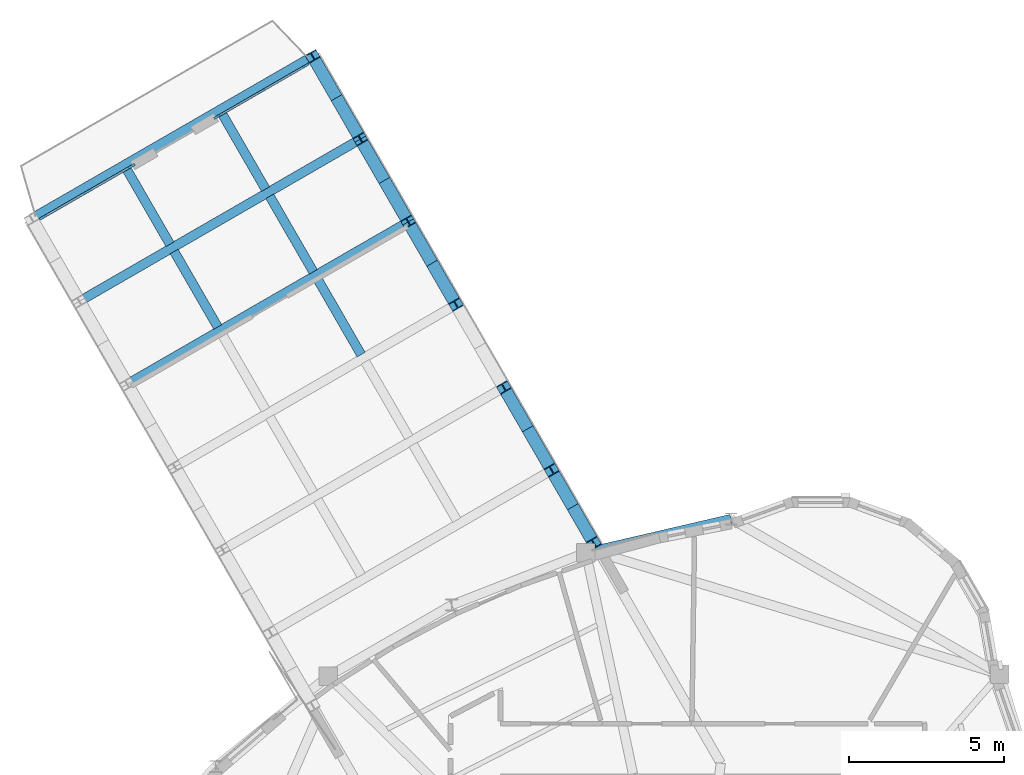
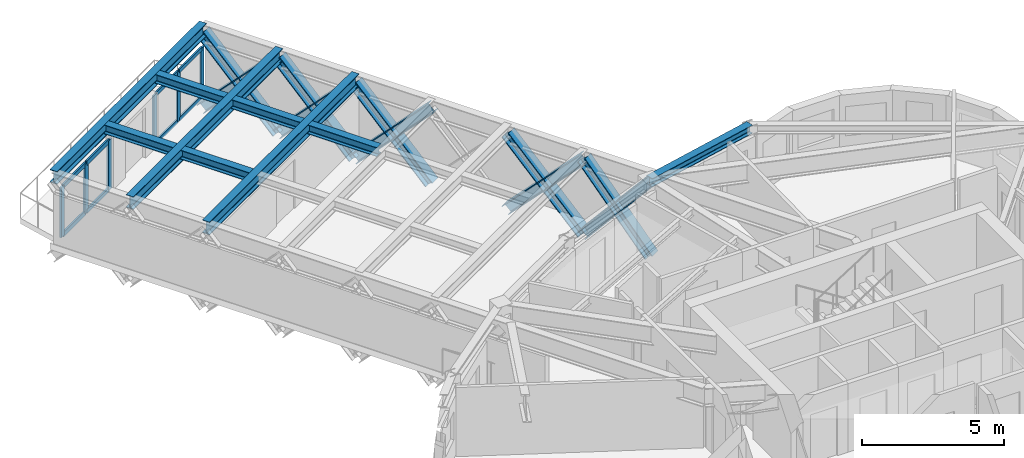
# One storey, part 3 of 14: 24 members, 9 beams, 2 elements without a shape of their own.
"""IFC4 building model written with IfcOpenShell, lengths in metres."""

from ifc_helpers import new_model, si_unit, direction, frame, origin, origin_2d, place, context, subcontext, project, spatial, rectangle, i_section, extrude, source, transform, mapped, material, layer, layer_set, material_profile, profile_set, type_object, element, aggregate, save


model = new_model("IFC4")

# Units and contexts
model_context = context("Model", 3, precision=1e-05, world=origin(), true_north=direction((0.0, 1.0)))
body_context = subcontext(model_context, "Body", "Model", "MODEL_VIEW")
ifc_project = project(units=[si_unit("LENGTHUNIT", "METRE"), si_unit("AREAUNIT", "SQUARE_METRE"), si_unit("VOLUMEUNIT", "CUBIC_METRE"), si_unit("PLANEANGLEUNIT", "RADIAN"), si_unit("MASSUNIT", "GRAM", prefix="KILO")], contexts=[model_context])

# Site, building, storey
site_placement = place(None, origin())
site = spatial("IfcSite", under=ifc_project, at=site_placement, CompositionType="ELEMENT")
building_placement = place(site_placement, origin())
building = spatial("IfcBuilding", under=site, at=building_placement, Name="Qafzar Sky-Pleat Residences", CompositionType="ELEMENT")
storey_placement = place(building_placement, frame((0.0, 0.0, 211.60009765625)))
storey = spatial("IfcBuildingStorey", under=building, at=storey_placement, Name="L63", CompositionType="ELEMENT", Elevation=211.60009765625)

# Beams
ifc_material_1 = material(Name="Steel S355", Category="steel")
ifc_material_profile_1 = material_profile(ifc_material_1, i_section(OverallWidth=0.300048828125, OverallDepth=0.360107421875, WebThickness=0.012451171875, FlangeThickness=0.0224609375, FilletRadius=0.027099609375, at=origin_2d()), Name="HEB 360")
ifc_profile_set_1 = profile_set([ifc_material_profile_1], Name="Steel S355")
beam_type_1 = type_object("IfcBeamType", Name="BM-SPAN-HEB360", PredefinedType="SPANDREL", material=ifc_profile_set_1)
shared_shape_1 = source(origin(), body_context, "Body", "SweptSolid", [
    extrude(i_section(OverallWidth=0.300048828125, OverallDepth=0.360107421875, WebThickness=0.012451171875, FlangeThickness=0.0224609375, FilletRadius=0.027099609375, at=origin_2d()), origin(), (0.0, 0.0, 1.0), 4.8173828125),
])
beam_1_placement = place(storey_placement, frame((31.75244140625, 42.54541015625, 2.77783203125), z_axis=(-0.974014007378, -0.226487777666, 0.0), x_axis=(0.226487777666, -0.974014007378, 0.0)))
element("IfcBeam", 1, at=beam_1_placement, inside=storey, type_object=beam_type_1, Name="L63 Perimeter Spandrel Beam 14", PredefinedType="SPANDREL", context=body_context, shape_type="MappedRepresentation", body=[
    mapped(shared_shape_1, transform((0.0, 0.0, 0.0), x_axis=(1.0, 0.0, 0.0), y_axis=(0.0, 1.0, 0.0), z_axis=(0.0, 0.0, 1.0), scale=1.0)),
])
ifc_material_profile_2 = material_profile(ifc_material_1, i_section(OverallWidth=0.300048828125, OverallDepth=0.550048828125, WebThickness=0.014892578125, FlangeThickness=0.029052734375, FilletRadius=0.027099609375, at=origin_2d()), Name="HEB 550")
ifc_profile_set_2 = profile_set([ifc_material_profile_2], Name="Steel S355")
beam_type_2 = type_object("IfcBeamType", Name="BM-GIRD-HEB550", PredefinedType="BEAM", material=ifc_profile_set_2)
shared_shape_2 = source(origin(), body_context, "Body", "SweptSolid", [
    extrude(i_section(OverallWidth=0.300048828125, OverallDepth=0.550048828125, WebThickness=0.014892578125, FlangeThickness=0.029052734375, FilletRadius=0.027099609375, at=origin_2d()), origin(), (0.0, 0.0, 1.0), 10.5),
])
for number, where, z_axis, x_axis, name in (
    (2, (12.220458984375, 46.9013671875, 2.68798828125), (0.866025284237, 0.500000207062, 0.0), (-0.500000207062, 0.866025284237, 0.0), "L63 SB-5 Transverse Girder 4"),
    (3, (9.12890625, 52.256103515625, 2.68798828125), (0.866025284237, 0.500000207062, 0.0), (-0.500000207062, 0.866025284237, 0.0), "L63 SB-5 Transverse Girder 6"),
):
    element("IfcBeam", number, at=place(storey_placement, frame(where, z_axis=z_axis, x_axis=x_axis)), inside=storey, type_object=beam_type_2, Name=name, PredefinedType="BEAM", context=body_context, shape_type="MappedRepresentation", body=[
        mapped(shared_shape_2, transform((0.0, 0.0, 0.0), x_axis=(1.0, 0.0, 0.0), y_axis=(0.0, 1.0, 0.0), z_axis=(0.0, 0.0, 1.0), scale=1.0)),
    ])
shared_shape_3 = source(origin(), body_context, "Body", "SweptSolid", [
    extrude(i_section(OverallWidth=0.300048828125, OverallDepth=0.550048828125, WebThickness=0.014892578125, FlangeThickness=0.029052734375, FilletRadius=0.027099609375, at=origin_2d()), origin(), (0.0, 0.0, 1.0), 10.499755859375),
])
beam_2_placement = place(storey_placement, frame((10.6748046875, 49.57861328125, 2.68798828125), z_axis=(0.866019471182, 0.500010275428, 0.0), x_axis=(-0.500010275428, 0.866019471182, 0.0)))
element("IfcBeam", 4, at=beam_2_placement, inside=storey, type_object=beam_type_2, Name="L63 SB-5 Transverse Girder 5", PredefinedType="BEAM", context=body_context, shape_type="MappedRepresentation", body=[
    mapped(shared_shape_3, transform((0.0, 0.0, 0.0), x_axis=(1.0, 0.0, 0.0), y_axis=(0.0, 1.0, 0.0), z_axis=(0.0, 0.0, 1.0), scale=1.0)),
])
ifc_material_profile_3 = material_profile(ifc_material_1, i_section(OverallWidth=0.300048828125, OverallDepth=0.389892578125, WebThickness=0.010986328125, FlangeThickness=0.01904296875, FilletRadius=0.027099609375, at=origin_2d()), Name="HEA 400")
ifc_profile_set_3 = profile_set([ifc_material_profile_3], Name="Steel S355")
beam_type_3 = type_object("IfcBeamType", Name="BM-SBJ-HEA400", PredefinedType="JOIST", material=ifc_profile_set_3)
shared_shape_4 = source(origin(), body_context, "Body", "SweptSolid", [
    extrude(i_section(OverallWidth=0.300048828125, OverallDepth=0.389892578125, WebThickness=0.010986328125, FlangeThickness=0.01904296875, FilletRadius=0.027099609375, at=origin_2d()), origin(), (0.0, 0.0, 1.0), 2.821533203125),
])
for number, where, z_axis, x_axis, name in (
    (5, (19.791015625, 47.8583984375, 2.767822265625), (-0.499954647489, 0.866051586486, 0.0), (-0.866051586486, -0.499954647489, 0.0), "L63 SB-5 Sky-Bar Secondary Deck Joist 4.1"),
    (6, (16.69970703125, 53.213134765625, 2.767822265625), (-0.500057011773, 0.86599248552, 0.0), (-0.86599248552, -0.500057011773, 0.0), "L63 SB-5 Sky-Bar Secondary Deck Joist 6.1"),
    (7, (13.60791015625, 51.427978515625, 2.767822265625), (-0.499954647489, 0.866051586486, 0.0), (-0.866051586486, -0.499954647489, 0.0), "L63 SB-5 Sky-Bar Secondary Deck Joist 6.2"),
):
    element("IfcBeam", number, at=place(storey_placement, frame(where, z_axis=z_axis, x_axis=x_axis)), inside=storey, type_object=beam_type_3, Name=name, PredefinedType="JOIST", context=body_context, shape_type="MappedRepresentation", body=[
        mapped(shared_shape_4, transform((0.0, 0.0, 0.0), x_axis=(1.0, 0.0, 0.0), y_axis=(0.0, 1.0, 0.0), z_axis=(0.0, 0.0, 1.0), scale=1.0)),
    ])
shared_shape_5 = source(origin(), body_context, "Body", "SweptSolid", [
    extrude(i_section(OverallWidth=0.300048828125, OverallDepth=0.389892578125, WebThickness=0.010986328125, FlangeThickness=0.01904296875, FilletRadius=0.027099609375, at=origin_2d()), origin(), (0.0, 0.0, 1.0), 2.82177734375),
])
beam_3_placement = place(storey_placement, frame((15.15380859375, 48.750732421875, 2.767822265625), z_axis=(-0.500019542665, 0.866014120528, 0.0), x_axis=(-0.866014120528, -0.500019542665, 0.0)))
element("IfcBeam", 8, at=beam_3_placement, inside=storey, type_object=beam_type_3, Name="L63 SB-5 Sky-Bar Secondary Deck Joist 5.2", PredefinedType="JOIST", context=body_context, shape_type="MappedRepresentation", body=[
    mapped(shared_shape_5, transform((0.0, 0.0, 0.0), x_axis=(1.0, 0.0, 0.0), y_axis=(0.0, 1.0, 0.0), z_axis=(0.0, 0.0, 1.0), scale=1.0)),
])
shared_shape_6 = source(origin(), body_context, "Body", "SweptSolid", [
    extrude(i_section(OverallWidth=0.300048828125, OverallDepth=0.389892578125, WebThickness=0.010986328125, FlangeThickness=0.01904296875, FilletRadius=0.027099609375, at=origin_2d()), origin(), (0.0, 0.0, 1.0), 2.8212890625),
])
beam_4_placement = place(storey_placement, frame((18.245361328125, 50.535888671875, 2.767822265625), z_axis=(-0.499992114976, 0.866029956157, 0.0), x_axis=(-0.866029956157, -0.499992114976, 0.0)))
element("IfcBeam", 9, at=beam_4_placement, inside=storey, type_object=beam_type_3, Name="L63 SB-5 Sky-Bar Secondary Deck Joist 5.1", PredefinedType="JOIST", context=body_context, shape_type="MappedRepresentation", body=[
    mapped(shared_shape_6, transform((0.0, 0.0, 0.0), x_axis=(1.0, 0.0, 0.0), y_axis=(0.0, 1.0, 0.0), z_axis=(0.0, 0.0, 1.0), scale=1.0)),
])

# Members
ifc_material_2 = material(Name="Steel S460", Category="steel")
ifc_material_profile_4 = material_profile(ifc_material_2, i_section(OverallWidth=0.40087890625, OverallDepth=0.39892578125, WebThickness=0.02294921875, FlangeThickness=0.035888671875, FilletRadius=0.014892578125, at=origin_2d()), Name="HD 400x314")
ifc_profile_set_4 = profile_set([ifc_material_profile_4], Name="Steel S460")
member_type_1 = type_object("IfcMemberType", Name="MEM-SB-DIAG", PredefinedType="BRACE", material=ifc_profile_set_4)
shared_shape_7 = source(origin(), body_context, "Body", "SweptSolid", [
    extrude(i_section(OverallWidth=0.40087890625, OverallDepth=0.39892578125, WebThickness=0.02294921875, FlangeThickness=0.035888671875, FilletRadius=0.014892578125, at=origin_2d()), origin(), (0.0, 0.0, 1.0), 4.22607421875),
])
for number, where, z_axis, x_axis, name in (
    (10, (27.316650390625, 41.75390625, -0.6669921875), (-0.323159793963, 0.559723854792, 0.763070739803), (-0.866023343127, -0.500003569146, 0.0), "L63 SB-5 Truss Web Diagonal R1A"),
    (11, (27.316650390625, 41.75390625, 2.557861328125), (-0.323159793963, 0.559723854792, -0.763070739803), (-0.866023343127, -0.500003569146, 0.0), "L63 SB-5 Truss Web Diagonal R1B"),
):
    element("IfcMember", number, at=place(storey_placement, frame(where, z_axis=z_axis, x_axis=x_axis)), inside=storey, type_object=member_type_1, Name=name, PredefinedType="BRACE", context=body_context, shape_type="MappedRepresentation", body=[
        mapped(shared_shape_7, transform((0.0, 0.0, 0.0), x_axis=(1.0, 0.0, 0.0), y_axis=(0.0, 1.0, 0.0), z_axis=(0.0, 0.0, 1.0), scale=1.0)),
    ])
shared_shape_8 = source(origin(), body_context, "Body", "SweptSolid", [
    extrude(i_section(OverallWidth=0.40087890625, OverallDepth=0.39892578125, WebThickness=0.02294921875, FlangeThickness=0.035888671875, FilletRadius=0.014892578125, at=origin_2d()), origin(), (0.0, 0.0, 1.0), 4.46728515625),
])
for number, where, z_axis, x_axis, name in (
    (12, (22.859375, 49.47412109375, -0.6669921875), (-0.345996374282, 0.599304413263, 0.721886922743), (-0.86603303137, -0.499986788401, 0.0), "L63 SB-5 Truss Web Diagonal R4A"),
    (13, (22.859375, 49.47412109375, 2.557861328125), (-0.345996374282, 0.599304413263, -0.721886922743), (-0.86603303137, -0.499986788401, 0.0), "L63 SB-5 Truss Web Diagonal R4B"),
    (14, (21.313720703125, 52.1513671875, -0.6669921875), (-0.346044481579, 0.599293080385, 0.721873271822), (-0.865998834389, -0.50004601672, 0.0), "L63 SB-5 Truss Web Diagonal R5A"),
    (15, (21.313720703125, 52.1513671875, 2.557861328125), (-0.346044481579, 0.599293080385, -0.721873271822), (-0.865998834389, -0.50004601672, 0.0), "L63 SB-5 Truss Web Diagonal R5B"),
    (16, (19.767822265625, 54.82861328125, -0.6669921875), (-0.345985042016, 0.599339433864, 0.721863279102), (-0.866052771896, -0.499952594044, 0.0), "L63 SB-5 Truss Web Diagonal R6A"),
    (17, (19.767822265625, 54.82861328125, 2.557861328125), (-0.345985042016, 0.599339433864, -0.721863279102), (-0.866052771896, -0.499952594044, 0.0), "L63 SB-5 Truss Web Diagonal R6B"),
):
    element("IfcMember", number, at=place(storey_placement, frame(where, z_axis=z_axis, x_axis=x_axis)), inside=storey, type_object=member_type_1, Name=name, PredefinedType="BRACE", context=body_context, shape_type="MappedRepresentation", body=[
        mapped(shared_shape_8, transform((0.0, 0.0, 0.0), x_axis=(1.0, 0.0, 0.0), y_axis=(0.0, 1.0, 0.0), z_axis=(0.0, 0.0, 1.0), scale=1.0)),
    ])
shared_shape_9 = source(origin(), body_context, "Body", "SweptSolid", [
    extrude(i_section(OverallWidth=0.40087890625, OverallDepth=0.39892578125, WebThickness=0.02294921875, FlangeThickness=0.035888671875, FilletRadius=0.014892578125, at=origin_2d()), origin(), (0.0, 0.0, 1.0), 4.467529296875),
])
for number, where, z_axis, x_axis, name in (
    (18, (25.950927734375, 44.119384765625, -0.6669921875), (-0.346033148167, 0.599328101066, 0.721849629523), (-0.866018578812, -0.500011821012, 0.0), "L63 SB-5 Truss Web Diagonal R2A"),
    (19, (25.950927734375, 44.119384765625, 2.557861328125), (-0.346033148167, 0.599328101066, -0.721849629523), (-0.866018578812, -0.500011821012, 0.0), "L63 SB-5 Truss Web Diagonal R2B"),
):
    element("IfcMember", number, at=place(storey_placement, frame(where, z_axis=z_axis, x_axis=x_axis)), inside=storey, type_object=member_type_1, Name=name, PredefinedType="BRACE", context=body_context, shape_type="MappedRepresentation", body=[
        mapped(shared_shape_9, transform((0.0, 0.0, 0.0), x_axis=(1.0, 0.0, 0.0), y_axis=(0.0, 1.0, 0.0), z_axis=(0.0, 0.0, 1.0), scale=1.0)),
    ])

# Curtain wall, members
ifc_material_3 = material(Name="Anodised bronze aluminium framing", Category="aluminium")
ifc_layer_1 = layer(ifc_material_3, 0.239990234375)
ifc_layer_set_1 = layer_set([ifc_layer_1], Name="Anodised bronze aluminium framing")
curtain_wall_type_1 = type_object("IfcCurtainWallType", Name="CW-SYS-02", PredefinedType="NOTDEFINED", material=ifc_layer_set_1)
curtain_wall_1_placement = place(storey_placement, origin())
curtain_wall_1 = element("IfcCurtainWall", 20, at=curtain_wall_1_placement, inside=storey, type_object=curtain_wall_type_1, Name="L63 CW-02 Curtain Wall CW-L63-SB-5-PROW-L", PredefinedType="NOTDEFINED")
ifc_material_4 = material(Name="Anodised bronze aluminium", Category="aluminium")
ifc_material_profile_5 = material_profile(ifc_material_4, rectangle(XDim=0.074951171875, YDim=0.179931640625, at=origin_2d()), Name="ALU TRANSOM 75x180")
ifc_profile_set_5 = profile_set([ifc_material_profile_5], Name="Anodised bronze aluminium")
member_type_2 = type_object("IfcMemberType", Name="CWT-02", PredefinedType="USERDEFINED", material=ifc_profile_set_5)
shared_shape_10 = source(origin(), body_context, "Body", "SweptSolid", [
    extrude(rectangle(XDim=0.074951171875, YDim=0.179931640625, at=origin_2d()), origin(), (0.0, 0.0, 1.0), 1.57763671875),
])
member_1_placement = place(storey_placement, frame((9.537353515625, 52.318603515625, 0.037353515625), z_axis=(0.866015493058, 0.500017165488, 0.0), x_axis=(-0.500017165488, 0.866015493058, 0.0)))
member_1 = element("IfcMember", 21, at=member_1_placement, type_object=member_type_2, Name="CW-02 transom 1.1", ObjectType="TRANSOM", PredefinedType="USERDEFINED", context=body_context, shape_type="MappedRepresentation", body=[
    mapped(shared_shape_10, transform((0.0, 0.0, 0.0), x_axis=(1.0, 0.0, 0.0), y_axis=(0.0, 1.0, 0.0), z_axis=(0.0, 0.0, 1.0), scale=1.0)),
])
member_2_placement = place(storey_placement, frame((9.537353515625, 52.318603515625, 2.102294921875), z_axis=(0.866015493058, 0.500017165488, 0.0), x_axis=(-0.500017165488, 0.866015493058, 0.0)))
member_2 = element("IfcMember", 22, at=member_2_placement, type_object=member_type_2, Name="CW-02 transom 1.2", ObjectType="TRANSOM", PredefinedType="USERDEFINED", context=body_context, shape_type="MappedRepresentation", body=[
    mapped(shared_shape_10, transform((0.0, 0.0, 0.0), x_axis=(1.0, 0.0, 0.0), y_axis=(0.0, 1.0, 0.0), z_axis=(0.0, 0.0, 1.0), scale=1.0)),
])
member_3_placement = place(storey_placement, frame((10.968505859375, 53.144775390625, 0.037353515625), z_axis=(0.866015493058, 0.500017165488, 0.0), x_axis=(-0.500017165488, 0.866015493058, 0.0)))
member_3 = element("IfcMember", 23, at=member_3_placement, type_object=member_type_2, Name="CW-02 transom 2.1", ObjectType="TRANSOM", PredefinedType="USERDEFINED", context=body_context, shape_type="MappedRepresentation", body=[
    mapped(shared_shape_10, transform((0.0, 0.0, 0.0), x_axis=(1.0, 0.0, 0.0), y_axis=(0.0, 1.0, 0.0), z_axis=(0.0, 0.0, 1.0), scale=1.0)),
])
member_4_placement = place(storey_placement, frame((10.968505859375, 53.144775390625, 2.102294921875), z_axis=(0.866015493058, 0.500017165488, 0.0), x_axis=(-0.500017165488, 0.866015493058, 0.0)))
member_4 = element("IfcMember", 24, at=member_4_placement, type_object=member_type_2, Name="CW-02 transom 2.2", ObjectType="TRANSOM", PredefinedType="USERDEFINED", context=body_context, shape_type="MappedRepresentation", body=[
    mapped(shared_shape_10, transform((0.0, 0.0, 0.0), x_axis=(1.0, 0.0, 0.0), y_axis=(0.0, 1.0, 0.0), z_axis=(0.0, 0.0, 1.0), scale=1.0)),
])

ifc_layer_2 = layer(ifc_material_3, 0.219970703125)
ifc_layer_set_2 = layer_set([ifc_layer_2], Name="Anodised bronze aluminium framing")
curtain_wall_type_2 = type_object("IfcCurtainWallType", Name="CW-SYS-03", PredefinedType="NOTDEFINED", material=ifc_layer_set_2)
curtain_wall_2_placement = place(storey_placement, origin())
curtain_wall_2 = element("IfcCurtainWall", 25, at=curtain_wall_2_placement, inside=storey, type_object=curtain_wall_type_2, Name="L63 CW-03 Curtain Wall CW-L63-SB-5-PROW-R", PredefinedType="NOTDEFINED")
ifc_material_profile_6 = material_profile(ifc_material_4, rectangle(XDim=0.070068359375, YDim=0.1650390625, at=origin_2d()), Name="ALU TRANSOM 70x165")
ifc_profile_set_6 = profile_set([ifc_material_profile_6], Name="Anodised bronze aluminium")
member_type_3 = type_object("IfcMemberType", Name="CWT-03", PredefinedType="USERDEFINED", material=ifc_profile_set_6)
shared_shape_11 = source(origin(), body_context, "Body", "SweptSolid", [
    extrude(rectangle(XDim=0.070068359375, YDim=0.1650390625, at=origin_2d()), origin(), (0.0, 0.0, 1.0), 1.5849609375),
])
member_5_placement = place(storey_placement, frame((15.162109375, 55.566162109375, 0.034912109375), z_axis=(0.866016279763, 0.500015802937, 0.0), x_axis=(-0.500015802937, 0.866016279763, 0.0)))
member_5 = element("IfcMember", 26, at=member_5_placement, type_object=member_type_3, Name="CW-03 transom 1.1", ObjectType="TRANSOM", PredefinedType="USERDEFINED", context=body_context, shape_type="MappedRepresentation", body=[
    mapped(shared_shape_11, transform((0.0, 0.0, 0.0), x_axis=(1.0, 0.0, 0.0), y_axis=(0.0, 1.0, 0.0), z_axis=(0.0, 0.0, 1.0), scale=1.0)),
])
member_6_placement = place(storey_placement, frame((15.162109375, 55.566162109375, 2.10498046875), z_axis=(0.866016279763, 0.500015802937, 0.0), x_axis=(-0.500015802937, 0.866016279763, 0.0)))
member_6 = element("IfcMember", 27, at=member_6_placement, type_object=member_type_3, Name="CW-03 transom 1.2", ObjectType="TRANSOM", PredefinedType="USERDEFINED", context=body_context, shape_type="MappedRepresentation", body=[
    mapped(shared_shape_11, transform((0.0, 0.0, 0.0), x_axis=(1.0, 0.0, 0.0), y_axis=(0.0, 1.0, 0.0), z_axis=(0.0, 0.0, 1.0), scale=1.0)),
])
member_7_placement = place(storey_placement, frame((16.595458984375, 56.3935546875, 0.034912109375), z_axis=(0.866016279763, 0.500015802937, 0.0), x_axis=(-0.500015802937, 0.866016279763, 0.0)))
member_7 = element("IfcMember", 28, at=member_7_placement, type_object=member_type_3, Name="CW-03 transom 2.1", ObjectType="TRANSOM", PredefinedType="USERDEFINED", context=body_context, shape_type="MappedRepresentation", body=[
    mapped(shared_shape_11, transform((0.0, 0.0, 0.0), x_axis=(1.0, 0.0, 0.0), y_axis=(0.0, 1.0, 0.0), z_axis=(0.0, 0.0, 1.0), scale=1.0)),
])
member_8_placement = place(storey_placement, frame((16.595458984375, 56.3935546875, 2.10498046875), z_axis=(0.866016279763, 0.500015802937, 0.0), x_axis=(-0.500015802937, 0.866016279763, 0.0)))
member_8 = element("IfcMember", 29, at=member_8_placement, type_object=member_type_3, Name="CW-03 transom 2.2", ObjectType="TRANSOM", PredefinedType="USERDEFINED", context=body_context, shape_type="MappedRepresentation", body=[
    mapped(shared_shape_11, transform((0.0, 0.0, 0.0), x_axis=(1.0, 0.0, 0.0), y_axis=(0.0, 1.0, 0.0), z_axis=(0.0, 0.0, 1.0), scale=1.0)),
])

# Member
ifc_material_profile_7 = material_profile(ifc_material_4, rectangle(XDim=0.074951171875, YDim=0.239990234375, at=origin_2d()), Name="ALU MULLION 75x240")
ifc_profile_set_7 = profile_set([ifc_material_profile_7], Name="Anodised bronze aluminium")
member_type_4 = type_object("IfcMemberType", Name="CWM-02", PredefinedType="MULLION", material=ifc_profile_set_7)
shared_shape_12 = source(origin(), body_context, "Body", "SweptSolid", [
    extrude(rectangle(XDim=0.074951171875, YDim=0.239990234375, at=origin_2d()), origin(), (0.0, 0.0, 1.0), 2.139892578125),
])
member_9_placement = place(storey_placement, frame((9.5048828125, 52.2998046875, 0.0), z_axis=(0.0, 0.0, 1.0), x_axis=(-0.499995626969, 0.866027928541, 0.0)))
member_9 = element("IfcMember", 30, at=member_9_placement, type_object=member_type_4, Name="CW-02 mullion 1", PredefinedType="MULLION", context=body_context, shape_type="MappedRepresentation", body=[
    mapped(shared_shape_12, transform((0.0, 0.0, 0.0), x_axis=(1.0, 0.0, 0.0), y_axis=(0.0, 1.0, 0.0), z_axis=(0.0, 0.0, 1.0), scale=1.0)),
])

member_10_placement = place(storey_placement, frame((10.93603515625, 53.126220703125, 0.0), z_axis=(0.0, 0.0, 1.0), x_axis=(-0.499995626969, 0.866027928541, 0.0)))
member_10 = element("IfcMember", 31, at=member_10_placement, type_object=member_type_4, Name="CW-02 mullion 2", PredefinedType="MULLION", context=body_context, shape_type="MappedRepresentation", body=[
    mapped(shared_shape_12, transform((0.0, 0.0, 0.0), x_axis=(1.0, 0.0, 0.0), y_axis=(0.0, 1.0, 0.0), z_axis=(0.0, 0.0, 1.0), scale=1.0)),
])

member_11_placement = place(storey_placement, frame((12.3671875, 53.952392578125, 0.0), z_axis=(0.0, 0.0, 1.0), x_axis=(-0.499995626969, 0.866027928541, 0.0)))
member_11 = element("IfcMember", 32, at=member_11_placement, type_object=member_type_4, Name="CW-02 mullion 3", PredefinedType="MULLION", context=body_context, shape_type="MappedRepresentation", body=[
    mapped(shared_shape_12, transform((0.0, 0.0, 0.0), x_axis=(1.0, 0.0, 0.0), y_axis=(0.0, 1.0, 0.0), z_axis=(0.0, 0.0, 1.0), scale=1.0)),
])

aggregate(curtain_wall_1, [member_9, member_10, member_11, member_1, member_2, member_3, member_4])

ifc_material_profile_8 = material_profile(ifc_material_4, rectangle(XDim=0.070068359375, YDim=0.219970703125, at=origin_2d()), Name="ALU MULLION 70x220")
ifc_profile_set_8 = profile_set([ifc_material_profile_8], Name="Anodised bronze aluminium")
member_type_5 = type_object("IfcMemberType", Name="CWM-03", PredefinedType="MULLION", material=ifc_profile_set_8)
shared_shape_13 = source(origin(), body_context, "Body", "SweptSolid", [
    extrude(rectangle(XDim=0.070068359375, YDim=0.219970703125, at=origin_2d()), origin(), (0.0, 0.0, 1.0), 2.139892578125),
])
member_12_placement = place(storey_placement, frame((15.1318359375, 55.548583984375, 0.0), z_axis=(0.0, 0.0, 1.0), x_axis=(-0.499995626969, 0.866027928541, 0.0)))
member_12 = element("IfcMember", 33, at=member_12_placement, type_object=member_type_5, Name="CW-03 mullion 1", PredefinedType="MULLION", context=body_context, shape_type="MappedRepresentation", body=[
    mapped(shared_shape_13, transform((0.0, 0.0, 0.0), x_axis=(1.0, 0.0, 0.0), y_axis=(0.0, 1.0, 0.0), z_axis=(0.0, 0.0, 1.0), scale=1.0)),
])

member_13_placement = place(storey_placement, frame((16.565185546875, 56.376220703125, 0.0), z_axis=(0.0, 0.0, 1.0), x_axis=(-0.499995626969, 0.866027928541, 0.0)))
member_13 = element("IfcMember", 34, at=member_13_placement, type_object=member_type_5, Name="CW-03 mullion 2", PredefinedType="MULLION", context=body_context, shape_type="MappedRepresentation", body=[
    mapped(shared_shape_13, transform((0.0, 0.0, 0.0), x_axis=(1.0, 0.0, 0.0), y_axis=(0.0, 1.0, 0.0), z_axis=(0.0, 0.0, 1.0), scale=1.0)),
])

member_14_placement = place(storey_placement, frame((17.998291015625, 57.20361328125, 0.0), z_axis=(0.0, 0.0, 1.0), x_axis=(-0.499995626969, 0.866027928541, 0.0)))
member_14 = element("IfcMember", 35, at=member_14_placement, type_object=member_type_5, Name="CW-03 mullion 3", PredefinedType="MULLION", context=body_context, shape_type="MappedRepresentation", body=[
    mapped(shared_shape_13, transform((0.0, 0.0, 0.0), x_axis=(1.0, 0.0, 0.0), y_axis=(0.0, 1.0, 0.0), z_axis=(0.0, 0.0, 1.0), scale=1.0)),
])

aggregate(curtain_wall_2, [member_12, member_13, member_14, member_5, member_6, member_7, member_8])

save(model, "model.ifc")
